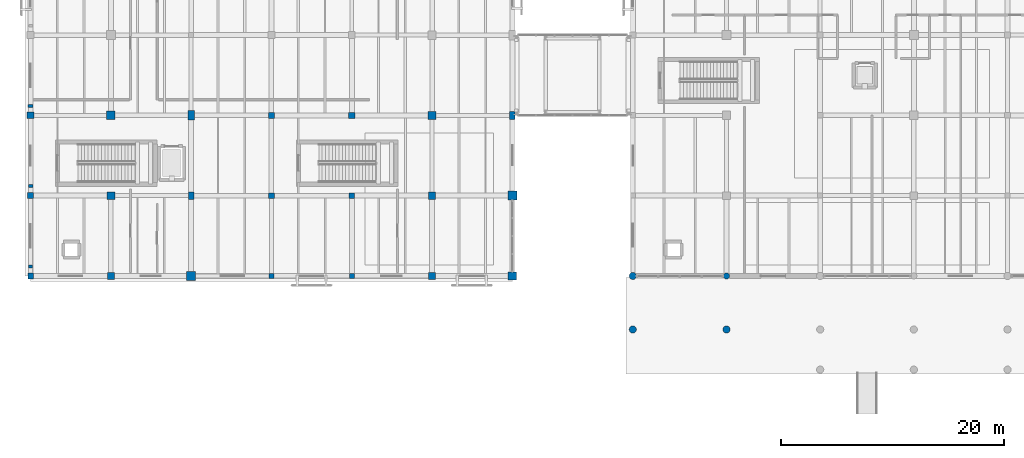
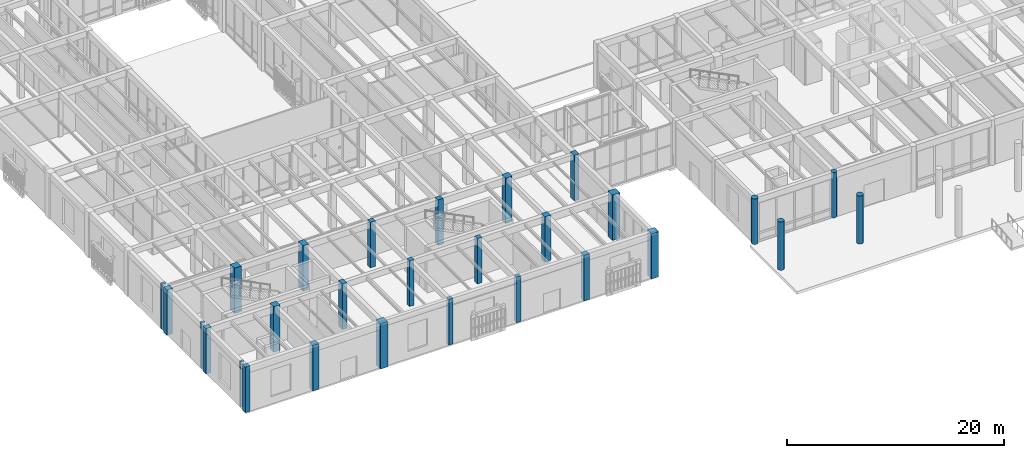
# One storey, part 1 of 169: 28 columns.
"""IFC4 building model written with IfcOpenShell, lengths in metres."""

from ifc_helpers import new_model, si_unit, direction, frame, origin, origin_2d, place, context, subcontext, project, spatial, rectangle, circle, extrude, material, material_profile, profile_set, type_object, element, save


model = new_model("IFC4")

# Units and contexts
model_context = context("Model", 3, precision=1e-05, world=origin(), true_north=direction((0.0, 1.0)))
body_context = subcontext(model_context, "Body", "Model", "MODEL_VIEW")
ifc_project = project(units=[si_unit("LENGTHUNIT", "METRE"), si_unit("AREAUNIT", "SQUARE_METRE"), si_unit("VOLUMEUNIT", "CUBIC_METRE"), si_unit("PLANEANGLEUNIT", "RADIAN"), si_unit("MASSUNIT", "GRAM", prefix="KILO")], contexts=[model_context])

# Site, building, storey
site_placement = place(None, origin())
site = spatial("IfcSite", under=ifc_project, at=site_placement, CompositionType="ELEMENT")
building_placement = place(site_placement, origin())
building = spatial("IfcBuilding", under=site, at=building_placement, Name="Mazaris Harbour Polytechnic", CompositionType="ELEMENT")
storey_placement = place(building_placement, origin())
storey = spatial("IfcBuildingStorey", under=building, at=storey_placement, Name="L00", CompositionType="ELEMENT", Elevation=0.0)

# Columns
ifc_material_1 = material(Name="Concrete C35/45", Category="concrete")
ifc_material_profile_1 = material_profile(ifc_material_1, rectangle(XDim=0.360107421875, YDim=0.239990234375, at=origin_2d()), Name="RECT360x240")
ifc_profile_set_1 = profile_set([ifc_material_profile_1], Name="Concrete C35/45")
column_type_1 = type_object("IfcColumnType", Name="Limestone Pilaster 360x240", PredefinedType="PILASTER", material=ifc_profile_set_1)
column_1_placement = place(storey_placement, frame((0.0, 8.050048828125, 0.0), z_axis=(0.0, 0.0, 1.0), x_axis=(1.0, 0.0, 0.0)))
element("IfcColumn", 1, at=column_1_placement, inside=storey, type_object=column_type_1, Name="V4 L00 Giant Order Pilaster 13", PredefinedType="PILASTER", context=body_context, shape_type="SweptSolid", body=[
    extrude(rectangle(XDim=0.360107421875, YDim=0.239990234375, at=origin_2d()), origin(), (0.0, 0.0, 1.0), 5.10009765625),
])
ifc_material_2 = material(Name="Concrete C35/45", Category="concrete")
ifc_material_profile_2 = material_profile(ifc_material_2, rectangle(XDim=0.39990234375, YDim=0.260009765625, at=origin_2d()), Name="RECT400x260")
ifc_profile_set_2 = profile_set([ifc_material_profile_2], Name="Concrete C35/45")
column_type_2 = type_object("IfcColumnType", Name="Limestone Pilaster 400x260", PredefinedType="PILASTER", material=ifc_profile_set_2)
column_2_placement = place(storey_placement, frame((0.0, 15.25, 0.0), z_axis=(0.0, 0.0, 1.0), x_axis=(1.0, 0.0, 0.0)))
element("IfcColumn", 2, at=column_2_placement, inside=storey, type_object=column_type_2, Name="V4 L00 Giant Order Pilaster 14", PredefinedType="PILASTER", context=body_context, shape_type="SweptSolid", body=[
    extrude(rectangle(XDim=0.39990234375, YDim=0.260009765625, at=origin_2d()), origin(), (0.0, 0.0, 1.0), 5.10009765625),
])
ifc_material_3 = material(Name="Concrete C35/45", Category="concrete")
ifc_material_profile_3 = material_profile(ifc_material_3, rectangle(XDim=0.43994140625, YDim=0.280029296875, at=origin_2d()), Name="RECT440x280")
ifc_profile_set_3 = profile_set([ifc_material_profile_3], Name="Concrete C35/45")
column_type_3 = type_object("IfcColumnType", Name="Limestone Pilaster 440x280", PredefinedType="PILASTER", material=ifc_profile_set_3)
column_3_placement = place(storey_placement, frame((0.0, 22.449951171875, 0.0), z_axis=(0.0, 0.0, 1.0), x_axis=(1.0, 0.0, 0.0)))
element("IfcColumn", 3, at=column_3_placement, inside=storey, type_object=column_type_3, Name="V4 L00 Giant Order Pilaster 15", PredefinedType="PILASTER", context=body_context, shape_type="SweptSolid", body=[
    extrude(rectangle(XDim=0.43994140625, YDim=0.280029296875, at=origin_2d()), origin(), (0.0, 0.0, 1.0), 5.10009765625),
])
ifc_material_4 = material(Name="Concrete C40/50", Category="concrete")
ifc_material_profile_4 = material_profile(ifc_material_4, circle(Radius=0.27490234375, at=origin_2d()), Name="DIA550")
ifc_profile_set_4 = profile_set([ifc_material_profile_4], Name="Concrete C40/50")
column_type_4 = type_object("IfcColumnType", Name="RC Colonnade Column D550", PredefinedType="COLUMN", material=ifc_profile_set_4)
column_4_placement = place(storey_placement, frame((62.39990234375, 7.199951171875, 0.0), z_axis=(0.0, 0.0, 1.0), x_axis=(1.0, 0.0, 0.0)))
element("IfcColumn", 4, at=column_4_placement, inside=storey, type_object=column_type_4, Name="V3 L00 Column 433", PredefinedType="COLUMN", context=body_context, shape_type="SweptSolid", body=[
    extrude(circle(Radius=0.27490234375, at=origin_2d()), origin(), (0.0, 0.0, 1.0), 5.10009765625),
])
ifc_material_5 = material(Name="Concrete C40/50", Category="concrete")
ifc_material_profile_5 = material_profile(ifc_material_5, circle(Radius=0.324951171875, at=origin_2d()), Name="DIA650")
ifc_profile_set_5 = profile_set([ifc_material_profile_5], Name="Concrete C40/50")
column_type_5 = type_object("IfcColumnType", Name="RC Colonnade Column D650", PredefinedType="COLUMN", material=ifc_profile_set_5)
column_5_placement = place(storey_placement, frame((54.0, 7.199951171875, 0.0), z_axis=(0.0, 0.0, 1.0), x_axis=(1.0, 0.0, 0.0)))
element("IfcColumn", 5, at=column_5_placement, inside=storey, type_object=column_type_5, Name="V3 L00 Column 428", PredefinedType="COLUMN", context=body_context, shape_type="SweptSolid", body=[
    extrude(circle(Radius=0.324951171875, at=origin_2d()), origin(), (0.0, 0.0, 1.0), 5.10009765625),
])
for number, where, z_axis, x_axis, name in (
    (6, (54.0, 2.39990234375, 0.0), (0.0, 0.0, 1.0), (1.0, 0.0, 0.0), "Harbour Colonnade Column L00-1"),
    (7, (62.39990234375, 2.39990234375, 0.0), (0.0, 0.0, 1.0), (1.0, 0.0, 0.0), "Harbour Colonnade Column L00-2"),
):
    element("IfcColumn", number, at=place(storey_placement, frame(where, z_axis=z_axis, x_axis=x_axis)), inside=storey, type_object=column_type_5, Name=name, PredefinedType="COLUMN", context=body_context, shape_type="SweptSolid", body=[
        extrude(circle(Radius=0.324951171875, at=origin_2d()), origin(), (0.0, 0.0, 1.0), 5.39990234375),
    ])
ifc_material_6 = material(Name="Concrete C40/50", Category="concrete")
ifc_material_profile_6 = material_profile(ifc_material_6, rectangle(XDim=0.449951171875, YDim=0.449951171875, at=origin_2d()), Name="RECT450x450")
ifc_profile_set_6 = profile_set([ifc_material_profile_6], Name="Concrete C40/50")
column_type_6 = type_object("IfcColumnType", Name="RC Column 450x450 Exterior", PredefinedType="COLUMN", material=ifc_profile_set_6)
for number, where, z_axis, x_axis, name in (
    (8, (21.60009765625, 7.199951171875, 0.0), (0.0, 0.0, 1.0), (1.0, 0.0, 0.0), "V4 L00 Column 679"),
    (9, (28.800048828125, 7.199951171875, 0.0), (0.0, 0.0, 1.0), (1.0, 0.0, 0.0), "V4 L00 Column 689"),
):
    element("IfcColumn", number, at=place(storey_placement, frame(where, z_axis=z_axis, x_axis=x_axis)), inside=storey, type_object=column_type_6, Name=name, PredefinedType="COLUMN", context=body_context, shape_type="SweptSolid", body=[
        extrude(rectangle(XDim=0.449951171875, YDim=0.449951171875, at=origin_2d()), origin(), (0.0, 0.0, 1.0), 5.10009765625),
    ])
ifc_material_7 = material(Name="Concrete C40/50", Category="concrete")
ifc_material_profile_7 = material_profile(ifc_material_7, rectangle(XDim=0.5, YDim=0.5, at=origin_2d()), Name="RECT500x500")
ifc_profile_set_7 = profile_set([ifc_material_profile_7], Name="Concrete C40/50")
column_type_7 = type_object("IfcColumnType", Name="RC Column 500x500", PredefinedType="COLUMN", material=ifc_profile_set_7)
for number, where, z_axis, x_axis, name in (
    (10, (21.60009765625, 14.39990234375, 0.0), (0.0, 0.0, 1.0), (1.0, 0.0, 0.0), "V4 L00 Column 680"),
    (11, (28.800048828125, 14.39990234375, 0.0), (0.0, 0.0, 1.0), (1.0, 0.0, 0.0), "V4 L00 Column 690"),
):
    element("IfcColumn", number, at=place(storey_placement, frame(where, z_axis=z_axis, x_axis=x_axis)), inside=storey, type_object=column_type_7, Name=name, PredefinedType="COLUMN", context=body_context, shape_type="SweptSolid", body=[
        extrude(rectangle(XDim=0.5, YDim=0.5, at=origin_2d()), origin(), (0.0, 0.0, 1.0), 5.10009765625),
    ])
ifc_material_8 = material(Name="Concrete C40/50", Category="concrete")
ifc_material_profile_8 = material_profile(ifc_material_8, rectangle(XDim=0.5, YDim=0.5, at=origin_2d()), Name="RECT500x500")
ifc_profile_set_8 = profile_set([ifc_material_profile_8], Name="Concrete C40/50")
column_type_8 = type_object("IfcColumnType", Name="RC Column 500x500 Exterior", PredefinedType="COLUMN", material=ifc_profile_set_8)
column_6_placement = place(storey_placement, frame((0.0, 7.199951171875, 0.0), z_axis=(0.0, 0.0, 1.0), x_axis=(1.0, 0.0, 0.0)))
element("IfcColumn", 12, at=column_6_placement, inside=storey, type_object=column_type_8, Name="V4 L00 Column 640", PredefinedType="COLUMN", context=body_context, shape_type="SweptSolid", body=[
    extrude(rectangle(XDim=0.5, YDim=0.5, at=origin_2d()), origin(), (0.0, 0.0, 1.0), 5.10009765625),
])
ifc_material_9 = material(Name="Concrete C40/50", Category="concrete")
ifc_material_profile_9 = material_profile(ifc_material_9, rectangle(XDim=0.5, YDim=0.699951171875, at=origin_2d()), Name="RECT500x700")
ifc_profile_set_9 = profile_set([ifc_material_profile_9], Name="Concrete C40/50")
column_type_9 = type_object("IfcColumnType", Name="RC Column 500x700", PredefinedType="COLUMN", material=ifc_profile_set_9)
column_7_placement = place(storey_placement, frame((14.39990234375, 14.39990234375, 0.0), z_axis=(0.0, 0.0, 1.0), x_axis=(1.0, 0.0, 0.0)))
element("IfcColumn", 13, at=column_7_placement, inside=storey, type_object=column_type_9, Name="V4 L00 Column 667", PredefinedType="COLUMN", context=body_context, shape_type="SweptSolid", body=[
    extrude(rectangle(XDim=0.5, YDim=0.699951171875, at=origin_2d()), origin(), (0.0, 0.0, 1.0), 5.10009765625),
])
ifc_material_10 = material(Name="Concrete C40/50", Category="concrete")
ifc_material_profile_10 = material_profile(ifc_material_10, rectangle(XDim=0.5, YDim=0.699951171875, at=origin_2d()), Name="RECT500x700")
ifc_profile_set_10 = profile_set([ifc_material_profile_10], Name="Concrete C40/50")
column_type_10 = type_object("IfcColumnType", Name="RC Column 500x700 Exterior", PredefinedType="COLUMN", material=ifc_profile_set_10)
column_8_placement = place(storey_placement, frame((43.199951171875, 21.60009765625, 0.0), z_axis=(0.0, 0.0, 1.0), x_axis=(1.0, 0.0, 0.0)))
element("IfcColumn", 14, at=column_8_placement, inside=storey, type_object=column_type_10, Name="V4 L00 Column 717", PredefinedType="COLUMN", context=body_context, shape_type="SweptSolid", body=[
    extrude(rectangle(XDim=0.5, YDim=0.699951171875, at=origin_2d()), origin(), (0.0, 0.0, 1.0), 5.10009765625),
])
ifc_material_11 = material(Name="Concrete C40/50", Category="concrete")
ifc_material_profile_11 = material_profile(ifc_material_11, rectangle(XDim=0.550048828125, YDim=0.550048828125, at=origin_2d()), Name="RECT550x550")
ifc_profile_set_11 = profile_set([ifc_material_profile_11], Name="Concrete C40/50")
column_type_11 = type_object("IfcColumnType", Name="RC Column 550x550", PredefinedType="COLUMN", material=ifc_profile_set_11)
for number, where, z_axis, x_axis, name in (
    (15, (21.60009765625, 21.60009765625, 0.0), (0.0, 0.0, 1.0), (1.0, 0.0, 0.0), "V4 L00 Column 681"),
    (16, (28.800048828125, 21.60009765625, 0.0), (0.0, 0.0, 1.0), (1.0, 0.0, 0.0), "V4 L00 Column 691"),
):
    element("IfcColumn", number, at=place(storey_placement, frame(where, z_axis=z_axis, x_axis=x_axis)), inside=storey, type_object=column_type_11, Name=name, PredefinedType="COLUMN", context=body_context, shape_type="SweptSolid", body=[
        extrude(rectangle(XDim=0.550048828125, YDim=0.550048828125, at=origin_2d()), origin(), (0.0, 0.0, 1.0), 5.10009765625),
    ])
ifc_material_12 = material(Name="Concrete C40/50", Category="concrete")
ifc_material_profile_12 = material_profile(ifc_material_12, rectangle(XDim=0.550048828125, YDim=0.550048828125, at=origin_2d()), Name="RECT550x550")
ifc_profile_set_12 = profile_set([ifc_material_profile_12], Name="Concrete C40/50")
column_type_12 = type_object("IfcColumnType", Name="RC Column 550x550 Exterior", PredefinedType="COLUMN", material=ifc_profile_set_12)
column_9_placement = place(storey_placement, frame((0.0, 14.39990234375, 0.0), z_axis=(0.0, 0.0, 1.0), x_axis=(1.0, 0.0, 0.0)))
element("IfcColumn", 17, at=column_9_placement, inside=storey, type_object=column_type_12, Name="V4 L00 Column 641", PredefinedType="COLUMN", context=body_context, shape_type="SweptSolid", body=[
    extrude(rectangle(XDim=0.550048828125, YDim=0.550048828125, at=origin_2d()), origin(), (0.0, 0.0, 1.0), 5.10009765625),
])
ifc_material_13 = material(Name="Concrete C40/50", Category="concrete")
ifc_material_profile_13 = material_profile(ifc_material_13, rectangle(XDim=0.60009765625, YDim=0.60009765625, at=origin_2d()), Name="RECT600x600")
ifc_profile_set_13 = profile_set([ifc_material_profile_13], Name="Concrete C40/50")
column_type_13 = type_object("IfcColumnType", Name="RC Column 600x600 Exterior", PredefinedType="COLUMN", material=ifc_profile_set_13)
for number, where, z_axis, x_axis, name in (
    (18, (0.0, 21.60009765625, 0.0), (0.0, 0.0, 1.0), (1.0, 0.0, 0.0), "V4 L00 Column 642"),
    (19, (36.0, 7.199951171875, 0.0), (0.0, 0.0, 1.0), (1.0, 0.0, 0.0), "V4 L00 Column 702"),
):
    element("IfcColumn", number, at=place(storey_placement, frame(where, z_axis=z_axis, x_axis=x_axis)), inside=storey, type_object=column_type_13, Name=name, PredefinedType="COLUMN", context=body_context, shape_type="SweptSolid", body=[
        extrude(rectangle(XDim=0.60009765625, YDim=0.60009765625, at=origin_2d()), origin(), (0.0, 0.0, 1.0), 5.10009765625),
    ])
ifc_material_14 = material(Name="Concrete C40/50", Category="concrete")
ifc_material_profile_14 = material_profile(ifc_material_14, rectangle(XDim=0.60009765625, YDim=0.85009765625, at=origin_2d()), Name="RECT600x850")
ifc_profile_set_14 = profile_set([ifc_material_profile_14], Name="Concrete C40/50")
column_type_14 = type_object("IfcColumnType", Name="RC Column 600x850", PredefinedType="COLUMN", material=ifc_profile_set_14)
column_10_placement = place(storey_placement, frame((14.39990234375, 21.60009765625, 0.0), z_axis=(0.0, 0.0, 1.0), x_axis=(1.0, 0.0, 0.0)))
element("IfcColumn", 20, at=column_10_placement, inside=storey, type_object=column_type_14, Name="V4 L00 Column 668", PredefinedType="COLUMN", context=body_context, shape_type="SweptSolid", body=[
    extrude(rectangle(XDim=0.60009765625, YDim=0.85009765625, at=origin_2d()), origin(), (0.0, 0.0, 1.0), 5.10009765625),
])
ifc_material_15 = material(Name="Concrete C40/50", Category="concrete")
ifc_material_profile_15 = material_profile(ifc_material_15, rectangle(XDim=0.64990234375, YDim=0.64990234375, at=origin_2d()), Name="RECT650x650")
ifc_profile_set_15 = profile_set([ifc_material_profile_15], Name="Concrete C40/50")
column_type_15 = type_object("IfcColumnType", Name="RC Column 650x650", PredefinedType="COLUMN", material=ifc_profile_set_15)
column_11_placement = place(storey_placement, frame((36.0, 14.39990234375, 0.0), z_axis=(0.0, 0.0, 1.0), x_axis=(1.0, 0.0, 0.0)))
element("IfcColumn", 21, at=column_11_placement, inside=storey, type_object=column_type_15, Name="V4 L00 Column 703", PredefinedType="COLUMN", context=body_context, shape_type="SweptSolid", body=[
    extrude(rectangle(XDim=0.64990234375, YDim=0.64990234375, at=origin_2d()), origin(), (0.0, 0.0, 1.0), 5.10009765625),
])
ifc_material_16 = material(Name="Concrete C40/50", Category="concrete")
ifc_material_profile_16 = material_profile(ifc_material_16, rectangle(XDim=0.64990234375, YDim=0.64990234375, at=origin_2d()), Name="RECT650x650")
ifc_profile_set_16 = profile_set([ifc_material_profile_16], Name="Concrete C40/50")
column_type_16 = type_object("IfcColumnType", Name="RC Column 650x650 Exterior", PredefinedType="COLUMN", material=ifc_profile_set_16)
column_12_placement = place(storey_placement, frame((7.199951171875, 7.199951171875, 0.0), z_axis=(0.0, 0.0, 1.0), x_axis=(1.0, 0.0, 0.0)))
element("IfcColumn", 22, at=column_12_placement, inside=storey, type_object=column_type_16, Name="V4 L00 Column 653", PredefinedType="COLUMN", context=body_context, shape_type="SweptSolid", body=[
    extrude(rectangle(XDim=0.64990234375, YDim=0.64990234375, at=origin_2d()), origin(), (0.0, 0.0, 1.0), 5.10009765625),
])
ifc_material_17 = material(Name="Concrete C40/50", Category="concrete")
ifc_material_profile_17 = material_profile(ifc_material_17, rectangle(XDim=0.699951171875, YDim=0.699951171875, at=origin_2d()), Name="RECT700x700")
ifc_profile_set_17 = profile_set([ifc_material_profile_17], Name="Concrete C40/50")
column_type_17 = type_object("IfcColumnType", Name="RC Column 700x700", PredefinedType="COLUMN", material=ifc_profile_set_17)
for number, where, z_axis, x_axis, name in (
    (23, (7.199951171875, 14.39990234375, 0.0), (0.0, 0.0, 1.0), (1.0, 0.0, 0.0), "V4 L00 Column 654"),
    (24, (36.0, 21.60009765625, 0.0), (0.0, 0.0, 1.0), (1.0, 0.0, 0.0), "V4 L00 Column 704"),
):
    element("IfcColumn", number, at=place(storey_placement, frame(where, z_axis=z_axis, x_axis=x_axis)), inside=storey, type_object=column_type_17, Name=name, PredefinedType="COLUMN", context=body_context, shape_type="SweptSolid", body=[
        extrude(rectangle(XDim=0.699951171875, YDim=0.699951171875, at=origin_2d()), origin(), (0.0, 0.0, 1.0), 5.10009765625),
    ])
ifc_material_18 = material(Name="Concrete C40/50", Category="concrete")
ifc_material_profile_18 = material_profile(ifc_material_18, rectangle(XDim=0.75, YDim=0.75, at=origin_2d()), Name="RECT750x750")
ifc_profile_set_18 = profile_set([ifc_material_profile_18], Name="Concrete C40/50")
column_type_18 = type_object("IfcColumnType", Name="RC Column 750x750", PredefinedType="COLUMN", material=ifc_profile_set_18)
column_13_placement = place(storey_placement, frame((7.199951171875, 21.60009765625, 0.0), z_axis=(0.0, 0.0, 1.0), x_axis=(1.0, 0.0, 0.0)))
element("IfcColumn", 25, at=column_13_placement, inside=storey, type_object=column_type_18, Name="V4 L00 Column 655", PredefinedType="COLUMN", context=body_context, shape_type="SweptSolid", body=[
    extrude(rectangle(XDim=0.75, YDim=0.75, at=origin_2d()), origin(), (0.0, 0.0, 1.0), 5.10009765625),
])
ifc_material_19 = material(Name="Concrete C40/50", Category="concrete")
ifc_material_profile_19 = material_profile(ifc_material_19, rectangle(XDim=0.75, YDim=0.75, at=origin_2d()), Name="RECT750x750")
ifc_profile_set_19 = profile_set([ifc_material_profile_19], Name="Concrete C40/50")
column_type_19 = type_object("IfcColumnType", Name="RC Column 750x750 Exterior", PredefinedType="COLUMN", material=ifc_profile_set_19)
column_14_placement = place(storey_placement, frame((43.199951171875, 7.199951171875, 0.0), z_axis=(0.0, 0.0, 1.0), x_axis=(1.0, 0.0, 0.0)))
element("IfcColumn", 26, at=column_14_placement, inside=storey, type_object=column_type_19, Name="V4 L00 Column 715", PredefinedType="COLUMN", context=body_context, shape_type="SweptSolid", body=[
    extrude(rectangle(XDim=0.75, YDim=0.75, at=origin_2d()), origin(), (0.0, 0.0, 1.0), 5.10009765625),
])
ifc_material_20 = material(Name="Concrete C40/50", Category="concrete")
ifc_material_profile_20 = material_profile(ifc_material_20, rectangle(XDim=0.800048828125, YDim=0.800048828125, at=origin_2d()), Name="RECT800x800")
ifc_profile_set_20 = profile_set([ifc_material_profile_20], Name="Concrete C40/50")
column_type_20 = type_object("IfcColumnType", Name="RC Column 800x800 Exterior", PredefinedType="COLUMN", material=ifc_profile_set_20)
for number, where, z_axis, x_axis, name in (
    (27, (14.39990234375, 7.199951171875, 0.0), (0.0, 0.0, 1.0), (1.0, 0.0, 0.0), "V4 L00 Column 666"),
    (28, (43.199951171875, 14.39990234375, 0.0), (0.0, 0.0, 1.0), (1.0, 0.0, 0.0), "V4 L00 Column 716"),
):
    element("IfcColumn", number, at=place(storey_placement, frame(where, z_axis=z_axis, x_axis=x_axis)), inside=storey, type_object=column_type_20, Name=name, PredefinedType="COLUMN", context=body_context, shape_type="SweptSolid", body=[
        extrude(rectangle(XDim=0.800048828125, YDim=0.800048828125, at=origin_2d()), origin(), (0.0, 0.0, 1.0), 5.10009765625),
    ])

save(model, "model.ifc")
